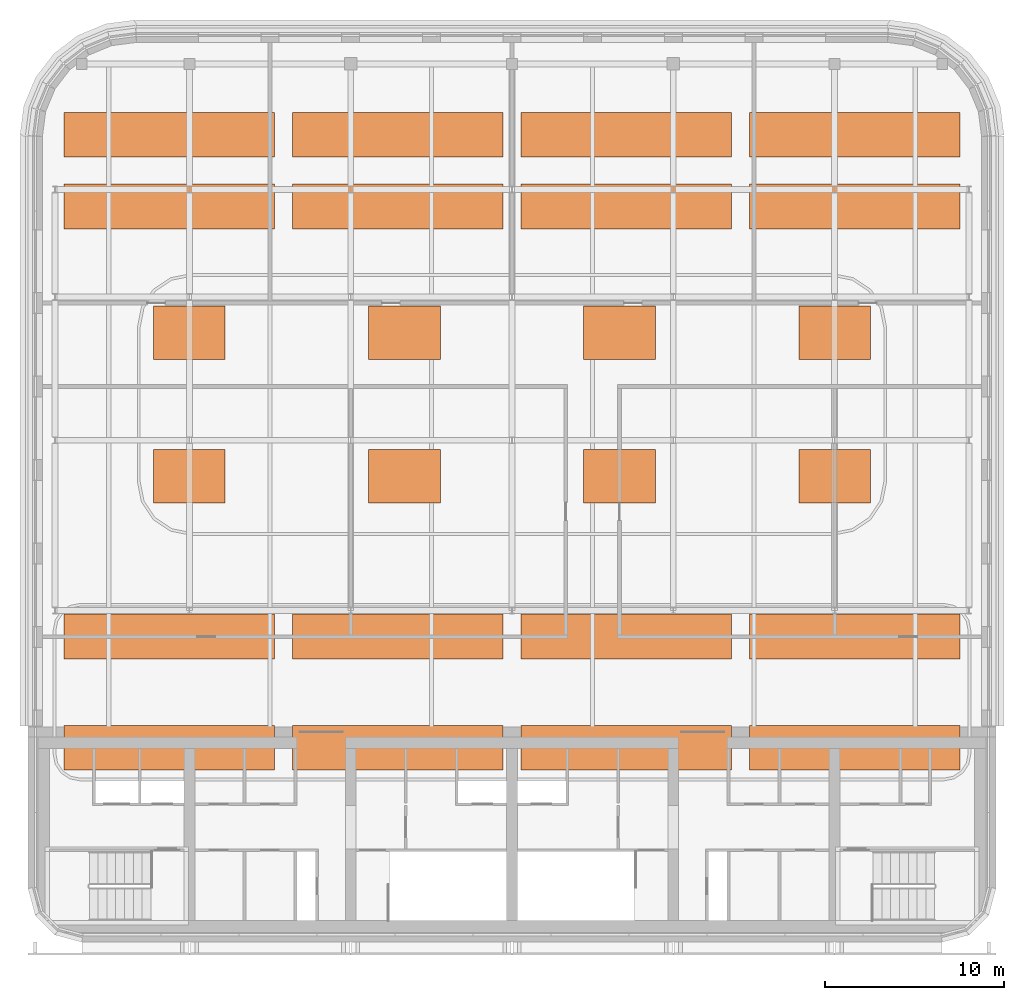
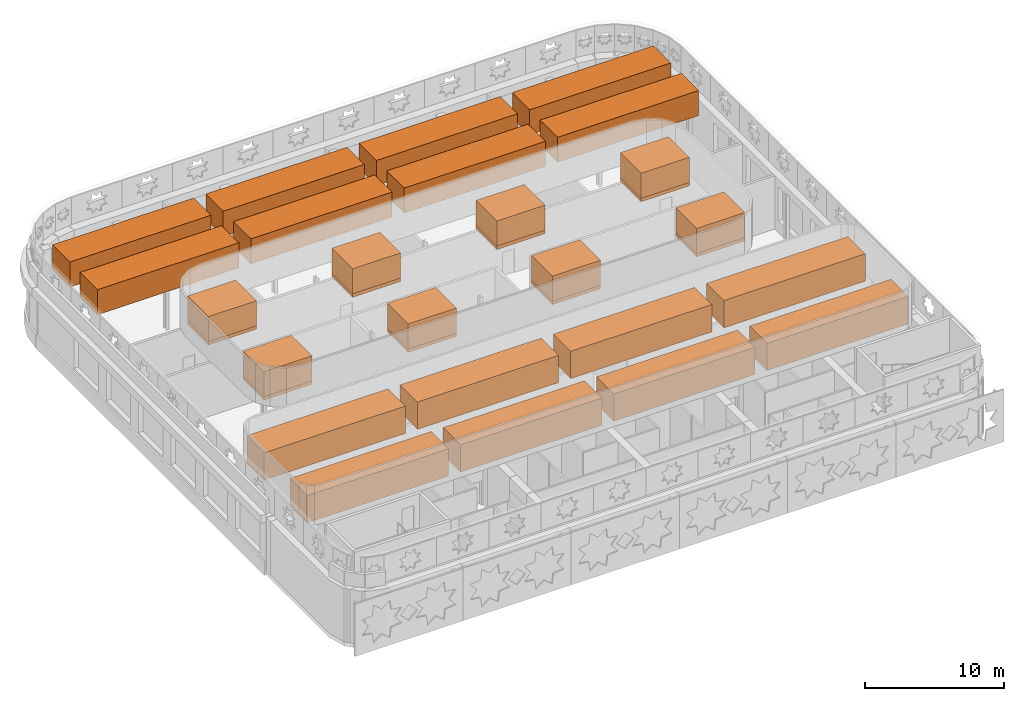
# One storey, part 14 of 14: 32 proxies.
"""IFC4 building model written with IfcOpenShell, lengths in metres."""

from ifc_helpers import new_model, si_unit, direction, frame, origin, origin_2d, place, context, subcontext, project, spatial, rectangle, extrude, material, type_object, element, save


model = new_model("IFC4")

# Units and contexts
model_context = context("Model", 3, precision=1e-05, world=origin(), true_north=direction((0.0, 1.0)))
body_context = subcontext(model_context, "Body", "Model", "MODEL_VIEW")
ifc_project = project(units=[si_unit("LENGTHUNIT", "METRE"), si_unit("AREAUNIT", "SQUARE_METRE"), si_unit("VOLUMEUNIT", "CUBIC_METRE"), si_unit("PLANEANGLEUNIT", "RADIAN"), si_unit("MASSUNIT", "GRAM", prefix="KILO")], contexts=[model_context])

# Site, building, storey
site_placement = place(None, origin())
site = spatial("IfcSite", under=ifc_project, at=site_placement, CompositionType="ELEMENT")
building_placement = place(site_placement, origin())
building = spatial("IfcBuilding", under=site, at=building_placement, Name="Zellij Exchange Tower", CompositionType="ELEMENT")
storey_placement = place(building_placement, frame((0.0, 0.0, 305.5)))
storey = spatial("IfcBuildingStorey", under=building, at=storey_placement, Name="L71", CompositionType="ELEMENT", Elevation=305.5)

# Proxies
ifc_material_1 = material(Name="Graphite plant casing")
building_element_proxy_type_1 = type_object("IfcBuildingElementProxyType", Name="ENV-AH1 Outdoor air handling unit 11750x2500x2400", PredefinedType="USERDEFINED", material=ifc_material_1)
for number, where, z_axis, x_axis, name in (
    (1, (-19.125, -3.14990234375, 5.0), (0.0, 0.0, 1.0), (1.0, 0.0, 0.0), "Outdoor air handling unit"),
    (2, (-6.375, -3.14990234375, 5.0), (0.0, 0.0, 1.0), (1.0, 0.0, 0.0), "Outdoor air handling unit"),
    (3, (6.375, -3.14990234375, 5.0), (0.0, 0.0, 1.0), (1.0, 0.0, 0.0), "Outdoor air handling unit"),
    (4, (19.125, -3.14990234375, 5.0), (0.0, 0.0, 1.0), (1.0, 0.0, 0.0), "Outdoor air handling unit"),
    (5, (-19.125, 3.050048828125, 5.0), (0.0, 0.0, 1.0), (1.0, 0.0, 0.0), "Outdoor air handling unit"),
    (6, (-6.375, 3.050048828125, 5.0), (0.0, 0.0, 1.0), (1.0, 0.0, 0.0), "Outdoor air handling unit"),
    (7, (6.375, 3.050048828125, 5.0), (0.0, 0.0, 1.0), (1.0, 0.0, 0.0), "Outdoor air handling unit"),
    (8, (19.125, 3.050048828125, 5.0), (0.0, 0.0, 1.0), (1.0, 0.0, 0.0), "Outdoor air handling unit"),
):
    element("IfcBuildingElementProxy", number, at=place(storey_placement, frame(where, z_axis=z_axis, x_axis=x_axis)), inside=storey, type_object=building_element_proxy_type_1, Name=name, ObjectType="AIR HANDLING UNIT", PredefinedType="USERDEFINED", context=body_context, shape_type="SweptSolid", body=[
        extrude(rectangle(XDim=11.75, YDim=2.5, at=origin_2d()), origin(), (0.0, 0.0, 1.0), 2.39990234375),
    ])
building_element_proxy_type_2 = type_object("IfcBuildingElementProxyType", Name="ENV-DC1 Dry cooler 4000x3000x2200", PredefinedType="USERDEFINED", material=ifc_material_1)
for number, where, z_axis, x_axis, name in (
    (9, (-18.0, 12.0, 5.2998046875), (0.0, 0.0, 1.0), (1.0, 0.0, 0.0), "Dry cooler"),
    (10, (-6.0, 12.0, 5.2998046875), (0.0, 0.0, 1.0), (1.0, 0.0, 0.0), "Dry cooler"),
    (11, (6.0, 12.0, 5.2998046875), (0.0, 0.0, 1.0), (1.0, 0.0, 0.0), "Dry cooler"),
    (12, (18.0, 12.0, 5.2998046875), (0.0, 0.0, 1.0), (1.0, 0.0, 0.0), "Dry cooler"),
    (13, (-18.0, 20.0, 5.2998046875), (0.0, 0.0, 1.0), (1.0, 0.0, 0.0), "Dry cooler"),
    (14, (-6.0, 20.0, 5.2998046875), (0.0, 0.0, 1.0), (1.0, 0.0, 0.0), "Dry cooler"),
    (15, (6.0, 20.0, 5.2998046875), (0.0, 0.0, 1.0), (1.0, 0.0, 0.0), "Dry cooler"),
    (16, (18.0, 20.0, 5.2998046875), (0.0, 0.0, 1.0), (1.0, 0.0, 0.0), "Dry cooler"),
):
    element("IfcBuildingElementProxy", number, at=place(storey_placement, frame(where, z_axis=z_axis, x_axis=x_axis)), inside=storey, type_object=building_element_proxy_type_2, Name=name, ObjectType="DRY COOLER", PredefinedType="USERDEFINED", context=body_context, shape_type="SweptSolid", body=[
        extrude(rectangle(XDim=4.0, YDim=3.0, at=origin_2d()), origin(), (0.0, 0.0, 1.0), 2.199951171875),
    ])
building_element_proxy_type_3 = type_object("IfcBuildingElementProxyType", Name="ENV-DC2 Dry cooler bank 11750x2500x2200", PredefinedType="USERDEFINED", material=ifc_material_1)
for number, where, z_axis, x_axis, name in (
    (17, (-19.125, 27.050048828125, 5.0), (0.0, 0.0, 1.0), (1.0, 0.0, 0.0), "Dry cooler bank"),
    (18, (-6.375, 27.050048828125, 5.0), (0.0, 0.0, 1.0), (1.0, 0.0, 0.0), "Dry cooler bank"),
    (19, (6.375, 27.050048828125, 5.0), (0.0, 0.0, 1.0), (1.0, 0.0, 0.0), "Dry cooler bank"),
    (20, (19.125, 27.050048828125, 5.0), (0.0, 0.0, 1.0), (1.0, 0.0, 0.0), "Dry cooler bank"),
    (21, (-19.125, 31.050048828125, 5.0), (0.0, 0.0, 1.0), (1.0, 0.0, 0.0), "Dry cooler bank"),
    (22, (-6.375, 31.050048828125, 5.0), (0.0, 0.0, 1.0), (1.0, 0.0, 0.0), "Dry cooler bank"),
    (23, (6.375, 31.050048828125, 5.0), (0.0, 0.0, 1.0), (1.0, 0.0, 0.0), "Dry cooler bank"),
    (24, (19.125, 31.050048828125, 5.0), (0.0, 0.0, 1.0), (1.0, 0.0, 0.0), "Dry cooler bank"),
):
    element("IfcBuildingElementProxy", number, at=place(storey_placement, frame(where, z_axis=z_axis, x_axis=x_axis)), inside=storey, type_object=building_element_proxy_type_3, Name=name, ObjectType="DRY COOLER", PredefinedType="USERDEFINED", context=body_context, shape_type="SweptSolid", body=[
        extrude(rectangle(XDim=11.75, YDim=2.5, at=origin_2d()), origin(), (0.0, 0.0, 1.0), 2.199951171875),
    ])
ifc_material_2 = material(Name="Concrete C40/50", Category="concrete")
building_element_proxy_type_4 = type_object("IfcBuildingElementProxyType", Name="ENV-PL1 Plant plinth 4000x3000x300", PredefinedType="USERDEFINED", material=ifc_material_2)
for number, where, z_axis, x_axis, name in (
    (25, (-18.0, 12.0, 5.0), (0.0, 0.0, 1.0), (1.0, 0.0, 0.0), "Plant plinth"),
    (26, (-6.0, 12.0, 5.0), (0.0, 0.0, 1.0), (1.0, 0.0, 0.0), "Plant plinth"),
    (27, (6.0, 12.0, 5.0), (0.0, 0.0, 1.0), (1.0, 0.0, 0.0), "Plant plinth"),
    (28, (18.0, 12.0, 5.0), (0.0, 0.0, 1.0), (1.0, 0.0, 0.0), "Plant plinth"),
    (29, (-18.0, 20.0, 5.0), (0.0, 0.0, 1.0), (1.0, 0.0, 0.0), "Plant plinth"),
    (30, (-6.0, 20.0, 5.0), (0.0, 0.0, 1.0), (1.0, 0.0, 0.0), "Plant plinth"),
    (31, (6.0, 20.0, 5.0), (0.0, 0.0, 1.0), (1.0, 0.0, 0.0), "Plant plinth"),
    (32, (18.0, 20.0, 5.0), (0.0, 0.0, 1.0), (1.0, 0.0, 0.0), "Plant plinth"),
):
    element("IfcBuildingElementProxy", number, at=place(storey_placement, frame(where, z_axis=z_axis, x_axis=x_axis)), inside=storey, type_object=building_element_proxy_type_4, Name=name, ObjectType="PLINTH", PredefinedType="USERDEFINED", context=body_context, shape_type="SweptSolid", body=[
        extrude(rectangle(XDim=4.0, YDim=3.0, at=origin_2d()), origin(), (0.0, 0.0, 1.0), 0.300048828125),
    ])

save(model, "model.ifc")
